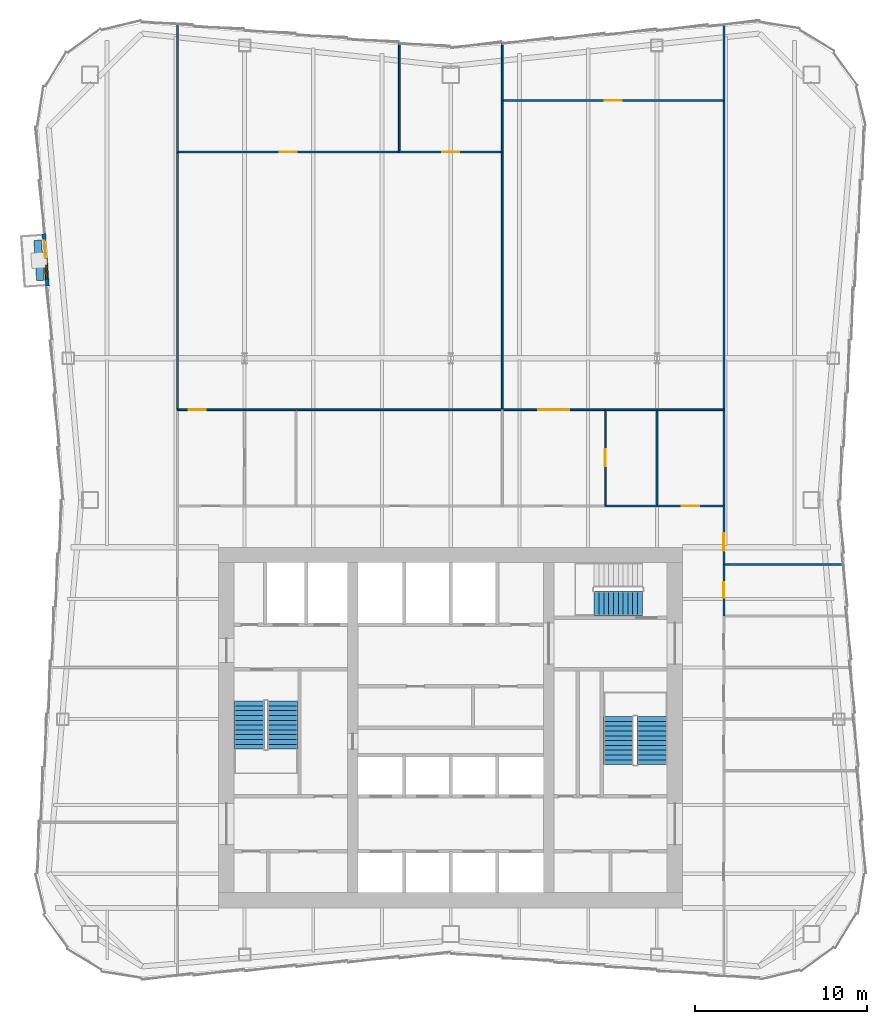
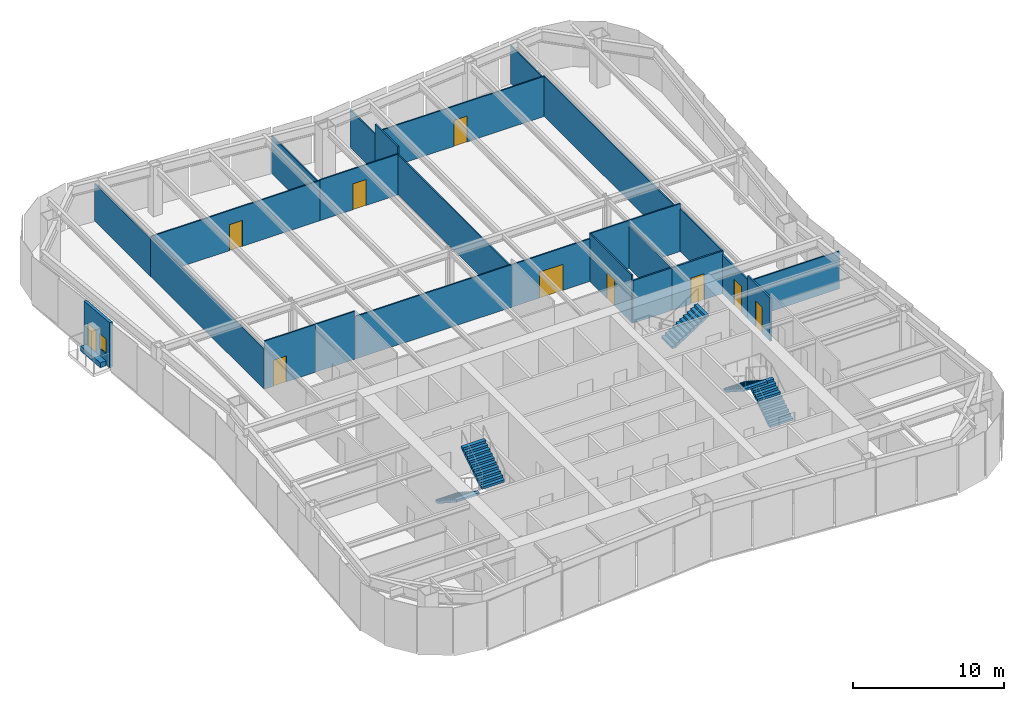
# One storey, part 7 of 10: 27 walls, 10 doors, 5 stair flights, 1 window, 11 openings, 3 elements without a shape of their own.
"""IFC4 building model written with IfcOpenShell, lengths in metres."""

from ifc_helpers import new_model, si_unit, direction, frame, frame_2d, origin, place, context, subcontext, project, spatial, polyline, rectangle, outline, extrude, material, layer, layer_set, type_object, element, fill, aggregate, save


model = new_model("IFC4")

# Units and contexts
model_context = context("Model", 3, precision=1e-05, world=origin(), true_north=direction((0.0, 1.0)))
body_context = subcontext(model_context, "Body", "Model", "MODEL_VIEW")
ifc_project = project(units=[si_unit("LENGTHUNIT", "METRE"), si_unit("AREAUNIT", "SQUARE_METRE"), si_unit("VOLUMEUNIT", "CUBIC_METRE"), si_unit("PLANEANGLEUNIT", "RADIAN"), si_unit("MASSUNIT", "GRAM", prefix="KILO")], contexts=[model_context])

# Site, building, storey
site_placement = place(None, origin())
site = spatial("IfcSite", under=ifc_project, at=site_placement, CompositionType="ELEMENT")
building_placement = place(site_placement, origin())
building = spatial("IfcBuilding", under=site, at=building_placement, Name="Verdant Reach Tower", CompositionType="ELEMENT")
storey_placement = place(building_placement, frame((0.0, 0.0, 214.0)))
storey = spatial("IfcBuildingStorey", under=building, at=storey_placement, Name="L49", CompositionType="ELEMENT", Elevation=214.0)

# Wall, openings, door, window
ifc_material_1 = material(Name="Insulated bronze aluminium panel wall", Category="aluminium")
ifc_layer_1 = layer(ifc_material_1, 0.219970703125)
ifc_layer_set_1 = layer_set([ifc_layer_1], Name="EN-INFILL WALL")
wall_type_1 = type_object("IfcWallType", Name="EN-INFILL WALL", PredefinedType="SOLIDWALL", material=ifc_layer_set_1)
wall_1_placement = place(storey_placement, frame((-23.677978515625, 56.745361328125, 0.0), z_axis=(0.0, 0.0, 1.0), x_axis=(0.068793846076, -0.997630897047, 0.0)))
wall_1 = element("IfcWall", 1, at=wall_1_placement, inside=storey, type_object=wall_type_1, Name="External infill wall, balcony bay 1, L49", PredefinedType="SOLIDWALL", context=body_context, shape_type="SweptSolid", body=[
    extrude(rectangle(XDim=3.048583984375, YDim=0.218017578125, at=frame_2d((1.5244140625, 0.0))), origin(), (0.0, 0.0, 1.0), 3.64990234375),
])
opening_1_placement = place(wall_1_placement, frame((0.416259765625, 0.0, 0.0)))
opening_1 = element("IfcOpeningElement", 2, at=opening_1_placement, cuts=wall_1, Name="Opening BD1", PredefinedType="OPENING", context=body_context, shape_type="SweptSolid", body=[
    extrude(rectangle(XDim=1.0, YDim=2.10009765625, at=frame_2d((0.5, 1.050048828125))), frame((0.0, 0.118896484375, 0.0), z_axis=(0.0, -1.0, 0.0), x_axis=(1.0, 0.0, 0.0)), (0.0, 0.0, 1.0), 0.238037109375),
])
opening_2_placement = place(wall_1_placement, frame((1.832275390625, 0.0, 0.89990234375)))
opening_2 = element("IfcOpeningElement", 3, at=opening_2_placement, cuts=wall_1, Name="Opening BW1", PredefinedType="OPENING", context=body_context, shape_type="SweptSolid", body=[
    extrude(rectangle(XDim=0.800048828125, YDim=1.199951171875, at=frame_2d((0.39990234375, 0.60009765625))), frame((0.0, 0.118896484375, 0.0), z_axis=(0.0, -1.0, 0.0), x_axis=(1.0, 0.0, 0.0)), (0.0, 0.0, 1.0), 0.238037109375),
])
ifc_material_2 = material(Name="Aluminium framed glazed door", Category="aluminium")
door_type_1 = type_object("IfcDoorType", Name="EN-DOOR BALCONY", OperationType="NOTDEFINED", PredefinedType="DOOR", material=ifc_material_2)
door_1_placement = place(opening_1_placement, origin())
door_1 = element("IfcDoor", 4, at=door_1_placement, inside=storey, type_object=door_type_1, Name="Balcony door 1, L49", OperationType="SINGLE_SWING_LEFT", OverallHeight=2.10009765625, OverallWidth=1.0, PredefinedType="DOOR", context=body_context, shape_type="SweptSolid", body=[
    extrude(rectangle(XDim=1.0, YDim=2.10009765625, at=frame_2d((0.5, 1.050048828125))), frame((0.0, 0.02490234375, 0.0), z_axis=(0.0, -1.0, 0.0), x_axis=(1.0, 0.0, 0.0)), (0.0, 0.0, 1.0), 0.050048828125),
])
fill(opening_1, door_1)
ifc_material_3 = material(Name="Aluminium framed glazing", Category="aluminium")
window_type = type_object("IfcWindowType", Name="EN-WINDOW BALCONY", PartitioningType="SINGLE_PANEL", PredefinedType="WINDOW", material=ifc_material_3)
window_placement = place(opening_2_placement, origin())
window = element("IfcWindow", 5, at=window_placement, inside=storey, type_object=window_type, Name="Balcony window 1, L49", OverallHeight=1.199951171875, OverallWidth=0.800048828125, PartitioningType="SINGLE_PANEL", PredefinedType="WINDOW", context=body_context, shape_type="SweptSolid", body=[
    extrude(rectangle(XDim=0.800048828125, YDim=1.199951171875, at=frame_2d((0.39990234375, 0.60009765625))), frame((0.0, 0.030029296875, 0.0), z_axis=(0.0, -1.0, 0.0), x_axis=(1.0, 0.0, 0.0)), (0.0, 0.0, 1.0), 0.06005859375),
])
fill(opening_2, window)

# Wall
ifc_material_4 = material(Name="Precast concrete C30/37", Category="concrete")
ifc_layer_2 = layer(ifc_material_4, 0.449951171875)
ifc_layer_set_2 = layer_set([ifc_layer_2], Name="EN-PLANTER")
wall_type_2 = type_object("IfcWallType", Name="EN-PLANTER", PredefinedType="USERDEFINED", material=ifc_layer_set_2)
wall_2_placement = place(storey_placement, frame((-24.036865234375, 56.36962890625, 0.0), z_axis=(0.0, 0.0, 1.0), x_axis=(0.068823499363, -0.997628851796, 0.0)))
element("IfcWall", 6, at=wall_2_placement, inside=storey, type_object=wall_type_2, Name="Balcony planter 1, L49", ObjectType="PLANTER", PredefinedType="USERDEFINED", context=body_context, shape_type="SweptSolid", body=[
    extrude(rectangle(XDim=2.348388671875, YDim=0.449951171875, at=frame_2d((1.17431640625, 0.0))), origin(), (0.0, 0.0, 1.0), 0.39990234375),
])

# Wall, opening, door
ifc_material_5 = material(Name="Gypsum board on steel studs", Category="steel")
ifc_layer_3 = layer(ifc_material_5, 0.10009765625)
ifc_layer_set_3 = layer_set([ifc_layer_3], Name="FL-W1 Partition 100")
wall_type_3 = type_object("IfcWallType", Name="FL-W1 Partition 100", PredefinedType="PARTITIONING", material=ifc_layer_set_3)
wall_3_placement = place(storey_placement, frame((-15.89990234375, 46.5, 0.0), z_axis=(0.0, 0.0, 1.0), x_axis=(1.0, 0.0, 0.0)))
wall_3 = element("IfcWall", 7, at=wall_3_placement, inside=storey, type_object=wall_type_3, Name="Partition 49.17", PredefinedType="PARTITIONING", context=body_context, shape_type="SweptSolid", body=[
    extrude(rectangle(XDim=3.90380859375, YDim=0.10009765625, at=frame_2d((1.951904296875, 0.0))), origin(), (0.0, 0.0, 1.0), 3.8701171875),
])
opening_3_placement = place(wall_3_placement, frame((0.652099609375, 0.0, 0.0)))
opening_3 = element("IfcOpeningElement", 8, at=opening_3_placement, cuts=wall_3, Name="Opening D3", PredefinedType="OPENING", context=body_context, shape_type="SweptSolid", body=[
    extrude(rectangle(XDim=1.0, YDim=2.10009765625, at=frame_2d((0.5, 1.050048828125))), frame((0.0, 0.06005859375, 0.0), z_axis=(0.0, -1.0, 0.0), x_axis=(1.0, 0.0, 0.0)), (0.0, 0.0, 1.0), 0.1201171875),
])
ifc_material_6 = material(Name="Painted timber door leaf", Category="wood")
door_type_2 = type_object("IfcDoorType", Name="FL-D3 Door 1000x2100", OperationType="NOTDEFINED", PredefinedType="DOOR", material=ifc_material_6)
door_2_placement = place(opening_3_placement, origin())
door_2 = element("IfcDoor", 9, at=door_2_placement, inside=storey, type_object=door_type_2, Name="Door 49-015", OperationType="SINGLE_SWING_LEFT", OverallHeight=2.10009765625, OverallWidth=1.0, PredefinedType="DOOR", context=body_context, shape_type="SweptSolid", body=[
    extrude(rectangle(XDim=1.0, YDim=2.10009765625, at=frame_2d((0.5, 1.050048828125))), frame((0.0, 0.02490234375, 0.0), z_axis=(0.0, -1.0, 0.0), x_axis=(1.0, 0.0, 0.0)), (0.0, 0.0, 1.0), 0.050048828125),
])
fill(opening_3, door_2)

# Walls
wall_4_placement = place(storey_placement, frame((-8.99609375, 46.5, 0.0), z_axis=(0.0, 0.0, 1.0), x_axis=(-1.0, 0.0, 0.0)))
element("IfcWall", 10, at=wall_4_placement, inside=storey, type_object=wall_type_3, Name="Partition 49.20", PredefinedType="PARTITIONING", context=body_context, shape_type="SweptSolid", body=[
    extrude(rectangle(XDim=3.0078125, YDim=0.10009765625, at=frame_2d((1.50390625, 0.0))), origin(), (0.0, 0.0, 1.0), 3.8701171875),
])
wall_5_placement = place(storey_placement, frame((3.0, 46.5, 0.0), z_axis=(0.0, 0.0, 1.0), x_axis=(-1.0, 0.0, 0.0)))
element("IfcWall", 11, at=wall_5_placement, inside=storey, type_object=wall_type_3, Name="Partition 49.21", PredefinedType="PARTITIONING", context=body_context, shape_type="SweptSolid", body=[
    extrude(rectangle(XDim=12.00390625, YDim=0.10009765625, at=frame_2d((6.001953125, 0.0))), origin(), (0.0, 0.0, 1.0), 3.43994140625),
])

# Wall, opening, door
wall_6_placement = place(storey_placement, frame((-15.89990234375, 61.5, 0.0), z_axis=(0.0, 0.0, 1.0), x_axis=(1.0, 0.0, 0.0)))
wall_6 = element("IfcWall", 12, at=wall_6_placement, inside=storey, type_object=wall_type_3, Name="Partition 49.23", PredefinedType="PARTITIONING", context=body_context, shape_type="SweptSolid", body=[
    extrude(rectangle(XDim=12.89990234375, YDim=0.10009765625, at=frame_2d((6.449951171875, 0.0))), origin(), (0.0, 0.0, 1.0), 3.239990234375),
])
opening_4_placement = place(wall_6_placement, frame((5.949951171875, 0.0, 0.0)))
opening_4 = element("IfcOpeningElement", 13, at=opening_4_placement, cuts=wall_6, Name="Opening D3", PredefinedType="OPENING", context=body_context, shape_type="SweptSolid", body=[
    extrude(rectangle(XDim=1.0, YDim=2.10009765625, at=frame_2d((0.5, 1.050048828125))), frame((0.0, 0.06005859375, 0.0), z_axis=(0.0, -1.0, 0.0), x_axis=(1.0, 0.0, 0.0)), (0.0, 0.0, 1.0), 0.1201171875),
])
door_3_placement = place(opening_4_placement, origin())
door_3 = element("IfcDoor", 14, at=door_3_placement, inside=storey, type_object=door_type_2, Name="Door 49-016", OperationType="SINGLE_SWING_RIGHT", OverallHeight=2.10009765625, OverallWidth=1.0, PredefinedType="DOOR", context=body_context, shape_type="SweptSolid", body=[
    extrude(rectangle(XDim=1.0, YDim=2.10009765625, at=frame_2d((0.5, 1.050048828125))), frame((0.0, 0.02490234375, 0.0), z_axis=(0.0, -1.0, 0.0), x_axis=(1.0, 0.0, 0.0)), (0.0, 0.0, 1.0), 0.050048828125),
])
fill(opening_4, door_3)

wall_7_placement = place(storey_placement, frame((-3.0, 61.5, 0.0), z_axis=(0.0, 0.0, 1.0), x_axis=(1.0, 0.0, 0.0)))
wall_7 = element("IfcWall", 15, at=wall_7_placement, inside=storey, type_object=wall_type_3, Name="Partition 49.24", PredefinedType="PARTITIONING", context=body_context, shape_type="SweptSolid", body=[
    extrude(rectangle(XDim=6.0, YDim=0.10009765625, at=frame_2d((3.0, 0.0))), origin(), (0.0, 0.0, 1.0), 3.2900390625),
])
opening_5_placement = place(wall_7_placement, frame((2.5, 0.0, 0.0)))
opening_5 = element("IfcOpeningElement", 16, at=opening_5_placement, cuts=wall_7, Name="Opening D3", PredefinedType="OPENING", context=body_context, shape_type="SweptSolid", body=[
    extrude(rectangle(XDim=1.0, YDim=2.10009765625, at=frame_2d((0.5, 1.050048828125))), frame((0.0, 0.06005859375, 0.0), z_axis=(0.0, -1.0, 0.0), x_axis=(1.0, 0.0, 0.0)), (0.0, 0.0, 1.0), 0.1201171875),
])
door_4_placement = place(opening_5_placement, origin())
door_4 = element("IfcDoor", 17, at=door_4_placement, inside=storey, type_object=door_type_2, Name="Door 49-017", OperationType="SINGLE_SWING_LEFT", OverallHeight=2.10009765625, OverallWidth=1.0, PredefinedType="DOOR", context=body_context, shape_type="SweptSolid", body=[
    extrude(rectangle(XDim=1.0, YDim=2.10009765625, at=frame_2d((0.5, 1.050048828125))), frame((0.0, 0.02490234375, 0.0), z_axis=(0.0, -1.0, 0.0), x_axis=(1.0, 0.0, 0.0)), (0.0, 0.0, 1.0), 0.050048828125),
])
fill(opening_5, door_4)

# Walls
wall_8_placement = place(storey_placement, frame((3.0, 46.5, 0.0), z_axis=(0.0, 0.0, 1.0), x_axis=(0.0, 1.0, 0.0)))
element("IfcWall", 18, at=wall_8_placement, inside=storey, type_object=wall_type_3, Name="Partition 49.25", PredefinedType="PARTITIONING", context=body_context, shape_type="SweptSolid", body=[
    extrude(rectangle(XDim=15.00390625, YDim=0.10009765625, at=frame_2d((7.501953125, 0.0))), origin(), (0.0, 0.0, 1.0), 3.239990234375),
])
wall_9_placement = place(storey_placement, frame((-15.89990234375, 61.50390625, 0.0), z_axis=(0.0, 0.0, 1.0), x_axis=(0.0, -1.0, 0.0)))
element("IfcWall", 19, at=wall_9_placement, inside=storey, type_object=wall_type_3, Name="Partition 49.26", PredefinedType="PARTITIONING", context=body_context, shape_type="SweptSolid", body=[
    extrude(rectangle(XDim=15.0078125, YDim=0.10009765625, at=frame_2d((7.50390625, 0.0))), origin(), (0.0, 0.0, 1.0), 3.239990234375),
])
wall_10_placement = place(storey_placement, frame((-3.0, 61.5, 0.0), z_axis=(0.0, 0.0, 1.0), x_axis=(0.0, 1.0, 0.0)))
element("IfcWall", 20, at=wall_10_placement, inside=storey, type_object=wall_type_3, Name="Partition 49.27", PredefinedType="PARTITIONING", context=body_context, shape_type="SweptSolid", body=[
    extrude(rectangle(XDim=6.330078125, YDim=0.10009765625, at=frame_2d((3.1650390625, 0.0))), origin(), (0.0, 0.0, 1.0), 3.0400390625),
])
wall_11_placement = place(storey_placement, frame((-15.89990234375, 68.905029296875, 0.0), z_axis=(0.0, 0.0, 1.0), x_axis=(0.0, -1.0, 0.0)))
element("IfcWall", 21, at=wall_11_placement, inside=storey, type_object=wall_type_3, Name="Partition 49.28", PredefinedType="PARTITIONING", context=body_context, shape_type="SweptSolid", body=[
    extrude(rectangle(XDim=7.408935546875, YDim=0.10009765625, at=frame_2d((3.70458984375, 0.0))), origin(), (0.0, 0.0, 1.0), 3.0400390625),
])
wall_12_placement = place(storey_placement, frame((3.0, 61.49609375, 0.0), z_axis=(0.0, 0.0, 1.0), x_axis=(0.0, 1.0, 0.0)))
element("IfcWall", 22, at=wall_12_placement, inside=storey, type_object=wall_type_3, Name="Partition 49.29", PredefinedType="PARTITIONING", context=body_context, shape_type="SweptSolid", body=[
    extrude(rectangle(XDim=3.00390625, YDim=0.10009765625, at=frame_2d((1.501953125, 0.0))), origin(), (0.0, 0.0, 1.0), 3.8701171875),
])
wall_13_placement = place(storey_placement, frame((3.0, 64.5, 0.0), z_axis=(0.0, 0.0, 1.0), x_axis=(0.0, 1.0, 0.0)))
element("IfcWall", 23, at=wall_13_placement, inside=storey, type_object=wall_type_3, Name="Partition 49.30", PredefinedType="PARTITIONING", context=body_context, shape_type="SweptSolid", body=[
    extrude(rectangle(XDim=3.330078125, YDim=0.10009765625, at=frame_2d((1.6650390625, 0.0))), origin(), (0.0, 0.0, 1.0), 3.0400390625),
])

# Wall, opening, door
wall_14_placement = place(storey_placement, frame((9.0, 46.5, 0.0), z_axis=(0.0, 0.0, 1.0), x_axis=(0.0, -1.0, 0.0)))
wall_14 = element("IfcWall", 24, at=wall_14_placement, inside=storey, type_object=wall_type_3, Name="Partition 49.31", PredefinedType="PARTITIONING", context=body_context, shape_type="SweptSolid", body=[
    extrude(rectangle(XDim=5.60009765625, YDim=0.10009765625, at=frame_2d((2.800048828125, 0.0))), origin(), (0.0, 0.0, 1.0), 3.8701171875),
])
opening_6_placement = place(wall_14_placement, frame((2.300048828125, 0.0, 0.0)))
opening_6 = element("IfcOpeningElement", 25, at=opening_6_placement, cuts=wall_14, Name="Opening D3", PredefinedType="OPENING", context=body_context, shape_type="SweptSolid", body=[
    extrude(rectangle(XDim=1.0, YDim=2.10009765625, at=frame_2d((0.5, 1.050048828125))), frame((0.0, 0.06005859375, 0.0), z_axis=(0.0, -1.0, 0.0), x_axis=(1.0, 0.0, 0.0)), (0.0, 0.0, 1.0), 0.1201171875),
])
door_5_placement = place(opening_6_placement, origin())
door_5 = element("IfcDoor", 26, at=door_5_placement, inside=storey, type_object=door_type_2, Name="Door 49-018", OperationType="SINGLE_SWING_RIGHT", OverallHeight=2.10009765625, OverallWidth=1.0, PredefinedType="DOOR", context=body_context, shape_type="SweptSolid", body=[
    extrude(rectangle(XDim=1.0, YDim=2.10009765625, at=frame_2d((0.5, 1.050048828125))), frame((0.0, 0.02490234375, 0.0), z_axis=(0.0, -1.0, 0.0), x_axis=(1.0, 0.0, 0.0)), (0.0, 0.0, 1.0), 0.050048828125),
])
fill(opening_6, door_5)

wall_15_placement = place(storey_placement, frame((3.0, 46.5, 0.0), z_axis=(0.0, 0.0, 1.0), x_axis=(1.0, 0.0, 0.0)))
wall_15 = element("IfcWall", 27, at=wall_15_placement, inside=storey, type_object=wall_type_3, Name="Partition 49.32", PredefinedType="PARTITIONING", context=body_context, shape_type="SweptSolid", body=[
    extrude(rectangle(XDim=6.00390625, YDim=0.10009765625, at=frame_2d((3.001953125, 0.0))), origin(), (0.0, 0.0, 1.0), 3.43994140625),
])
opening_7_placement = place(wall_15_placement, frame((2.10205078125, 0.0, 0.0)))
opening_7 = element("IfcOpeningElement", 28, at=opening_7_placement, cuts=wall_15, Name="Opening D5", PredefinedType="OPENING", context=body_context, shape_type="SweptSolid", body=[
    extrude(rectangle(XDim=1.800048828125, YDim=2.10009765625, at=frame_2d((0.89990234375, 1.050048828125))), frame((0.0, 0.06005859375, 0.0), z_axis=(0.0, -1.0, 0.0), x_axis=(1.0, 0.0, 0.0)), (0.0, 0.0, 1.0), 0.1201171875),
])
ifc_material_7 = material(Name="Painted timber door leaves", Category="wood")
door_type_3 = type_object("IfcDoorType", Name="FL-D5 Double door 1800x2100", OperationType="DOUBLE_DOOR_SINGLE_SWING", PredefinedType="DOOR", material=ifc_material_7)
door_6_placement = place(opening_7_placement, origin())
door_6 = element("IfcDoor", 29, at=door_6_placement, inside=storey, type_object=door_type_3, Name="Door 49-019", OperationType="DOUBLE_DOOR_SINGLE_SWING", OverallHeight=2.10009765625, OverallWidth=1.800048828125, PredefinedType="DOOR", context=body_context, shape_type="SweptSolid", body=[
    extrude(rectangle(XDim=1.800048828125, YDim=2.10009765625, at=frame_2d((0.89990234375, 1.050048828125))), frame((0.0, 0.02490234375, 0.0), z_axis=(0.0, -1.0, 0.0), x_axis=(1.0, 0.0, 0.0)), (0.0, 0.0, 1.0), 0.050048828125),
])
fill(opening_7, door_6)

# Walls
wall_16_placement = place(storey_placement, frame((12.0, 40.89990234375, 0.0), z_axis=(0.0, 0.0, 1.0), x_axis=(0.0, 1.0, 0.0)))
element("IfcWall", 30, at=wall_16_placement, inside=storey, type_object=wall_type_3, Name="Partition 49.33", PredefinedType="PARTITIONING", context=body_context, shape_type="SweptSolid", body=[
    extrude(rectangle(XDim=5.60009765625, YDim=0.10009765625, at=frame_2d((2.800048828125, 0.0))), origin(), (0.0, 0.0, 1.0), 3.43994140625),
])
wall_17_placement = place(storey_placement, frame((12.00390625, 46.5, 0.0), z_axis=(0.0, 0.0, 1.0), x_axis=(-1.0, 0.0, 0.0)))
element("IfcWall", 31, at=wall_17_placement, inside=storey, type_object=wall_type_3, Name="Partition 49.34", PredefinedType="PARTITIONING", context=body_context, shape_type="SweptSolid", body=[
    extrude(rectangle(XDim=3.0078125, YDim=0.10009765625, at=frame_2d((1.50390625, 0.0))), origin(), (0.0, 0.0, 1.0), 3.8701171875),
])
wall_18_placement = place(storey_placement, frame((15.89990234375, 46.5, 0.0), z_axis=(0.0, 0.0, 1.0), x_axis=(-1.0, 0.0, 0.0)))
element("IfcWall", 32, at=wall_18_placement, inside=storey, type_object=wall_type_3, Name="Partition 49.35", PredefinedType="PARTITIONING", context=body_context, shape_type="SweptSolid", body=[
    extrude(rectangle(XDim=3.90380859375, YDim=0.10009765625, at=frame_2d((1.951904296875, 0.0))), origin(), (0.0, 0.0, 1.0), 3.8701171875),
])
wall_19_placement = place(storey_placement, frame((15.89990234375, 40.89599609375, 0.0), z_axis=(0.0, 0.0, 1.0), x_axis=(0.0, 1.0, 0.0)))
element("IfcWall", 33, at=wall_19_placement, inside=storey, type_object=wall_type_3, Name="Partition 49.36", PredefinedType="PARTITIONING", context=body_context, shape_type="SweptSolid", body=[
    extrude(rectangle(XDim=5.60791015625, YDim=0.10009765625, at=frame_2d((2.803955078125, 0.0))), origin(), (0.0, 0.0, 1.0), 3.43994140625),
])

# Wall, opening, door
wall_20_placement = place(storey_placement, frame((3.0, 64.5, 0.0), z_axis=(0.0, 0.0, 1.0), x_axis=(1.0, 0.0, 0.0)))
wall_20 = element("IfcWall", 34, at=wall_20_placement, inside=storey, type_object=wall_type_3, Name="Partition 49.37", PredefinedType="PARTITIONING", context=body_context, shape_type="SweptSolid", body=[
    extrude(rectangle(XDim=12.89990234375, YDim=0.10009765625, at=frame_2d((6.449951171875, 0.0))), origin(), (0.0, 0.0, 1.0), 3.239990234375),
])
opening_8_placement = place(wall_20_placement, frame((5.949951171875, 0.0, 0.0)))
opening_8 = element("IfcOpeningElement", 35, at=opening_8_placement, cuts=wall_20, Name="Opening D3", PredefinedType="OPENING", context=body_context, shape_type="SweptSolid", body=[
    extrude(rectangle(XDim=1.0, YDim=2.10009765625, at=frame_2d((0.5, 1.050048828125))), frame((0.0, 0.06005859375, 0.0), z_axis=(0.0, -1.0, 0.0), x_axis=(1.0, 0.0, 0.0)), (0.0, 0.0, 1.0), 0.1201171875),
])
door_7_placement = place(opening_8_placement, origin())
door_7 = element("IfcDoor", 36, at=door_7_placement, inside=storey, type_object=door_type_2, Name="Door 49-020", OperationType="SINGLE_SWING_RIGHT", OverallHeight=2.10009765625, OverallWidth=1.0, PredefinedType="DOOR", context=body_context, shape_type="SweptSolid", body=[
    extrude(rectangle(XDim=1.0, YDim=2.10009765625, at=frame_2d((0.5, 1.050048828125))), frame((0.0, 0.02490234375, 0.0), z_axis=(0.0, -1.0, 0.0), x_axis=(1.0, 0.0, 0.0)), (0.0, 0.0, 1.0), 0.050048828125),
])
fill(opening_8, door_7)

# Walls
wall_21_placement = place(storey_placement, frame((15.89990234375, 46.49609375, 0.0), z_axis=(0.0, 0.0, 1.0), x_axis=(0.0, 1.0, 0.0)))
element("IfcWall", 37, at=wall_21_placement, inside=storey, type_object=wall_type_3, Name="Partition 49.38", PredefinedType="PARTITIONING", context=body_context, shape_type="SweptSolid", body=[
    extrude(rectangle(XDim=18.0078125, YDim=0.10009765625, at=frame_2d((9.00390625, 0.0))), origin(), (0.0, 0.0, 1.0), 3.239990234375),
])
wall_22_placement = place(storey_placement, frame((15.89990234375, 64.49609375, 0.0), z_axis=(0.0, 0.0, 1.0), x_axis=(0.0, 1.0, 0.0)))
element("IfcWall", 38, at=wall_22_placement, inside=storey, type_object=wall_type_3, Name="Partition 49.39", PredefinedType="PARTITIONING", context=body_context, shape_type="SweptSolid", body=[
    extrude(rectangle(XDim=4.408935546875, YDim=0.10009765625, at=frame_2d((2.20458984375, 0.0))), origin(), (0.0, 0.0, 1.0), 3.0400390625),
])
wall_23_placement = place(storey_placement, frame((22.838623046875, 37.5, 0.0), z_axis=(0.0, 0.0, 1.0), x_axis=(-1.0, 0.0, 0.0)))
element("IfcWall", 39, at=wall_23_placement, inside=storey, type_object=wall_type_3, Name="Partition 49.46", PredefinedType="PARTITIONING", context=body_context, shape_type="SweptSolid", body=[
    extrude(rectangle(XDim=6.938720703125, YDim=0.10009765625, at=frame_2d((3.46923828125, 0.0))), origin(), (0.0, 0.0, 1.0), 3.0400390625),
])
ifc_material_8 = material(Name="Gypsum board on steel studs, fire rated", Category="steel")
ifc_layer_4 = layer(ifc_material_8, 0.125)
ifc_layer_set_4 = layer_set([ifc_layer_4], Name="FL-W2 Corridor wall 125")
wall_type_4 = type_object("IfcWallType", Name="FL-W2 Corridor wall 125", PredefinedType="PARTITIONING", material=ifc_layer_set_4)
wall_24_placement = place(storey_placement, frame((12.0, 40.89990234375, 0.0), z_axis=(0.0, 0.0, 1.0), x_axis=(-1.0, 0.0, 0.0)))
element("IfcWall", 40, at=wall_24_placement, inside=storey, type_object=wall_type_4, Name="Partition 49.05", PredefinedType="PARTITIONING", context=body_context, shape_type="SweptSolid", body=[
    extrude(rectangle(XDim=3.0, YDim=0.125, at=frame_2d((1.5, 0.0))), origin(), (0.0, 0.0, 1.0), 3.43994140625),
])

# Wall, opening, door
wall_25_placement = place(storey_placement, frame((12.0, 40.89990234375, 0.0), z_axis=(0.0, 0.0, 1.0), x_axis=(1.0, 0.0, 0.0)))
wall_25 = element("IfcWall", 41, at=wall_25_placement, inside=storey, type_object=wall_type_4, Name="Partition 49.06", PredefinedType="PARTITIONING", context=body_context, shape_type="SweptSolid", body=[
    extrude(rectangle(XDim=3.89990234375, YDim=0.125, at=frame_2d((1.949951171875, 0.0))), origin(), (0.0, 0.0, 1.0), 3.43994140625),
])
opening_9_placement = place(wall_25_placement, frame((1.449951171875, 0.0, 0.0)))
opening_9 = element("IfcOpeningElement", 42, at=opening_9_placement, cuts=wall_25, Name="Opening D2", PredefinedType="OPENING", context=body_context, shape_type="SweptSolid", body=[
    extrude(rectangle(XDim=1.0, YDim=2.10009765625, at=frame_2d((0.5, 1.050048828125))), frame((0.0, 0.072509765625, 0.0), z_axis=(0.0, -1.0, 0.0), x_axis=(1.0, 0.0, 0.0)), (0.0, 0.0, 1.0), 0.14501953125),
])
ifc_material_9 = material(Name="Timber door leaf, fire rated", Category="wood")
door_type_4 = type_object("IfcDoorType", Name="FL-D2 Entrance door 1000x2100 FD30", OperationType="NOTDEFINED", PredefinedType="DOOR", material=ifc_material_9)
door_8_placement = place(opening_9_placement, origin())
door_8 = element("IfcDoor", 43, at=door_8_placement, inside=storey, type_object=door_type_4, Name="Door 49-004", OperationType="SINGLE_SWING_RIGHT", OverallHeight=2.10009765625, OverallWidth=1.0, PredefinedType="DOOR", context=body_context, shape_type="SweptSolid", body=[
    extrude(rectangle(XDim=1.0, YDim=2.10009765625, at=frame_2d((0.5, 1.050048828125))), frame((0.0, 0.02490234375, 0.0), z_axis=(0.0, -1.0, 0.0), x_axis=(1.0, 0.0, 0.0)), (0.0, 0.0, 1.0), 0.050048828125),
])
fill(opening_9, door_8)

wall_26_placement = place(storey_placement, frame((15.89990234375, 37.5, 0.0), z_axis=(0.0, 0.0, 1.0), x_axis=(0.0, -1.0, 0.0)))
wall_26 = element("IfcWall", 44, at=wall_26_placement, inside=storey, type_object=wall_type_4, Name="Partition 49.14", PredefinedType="PARTITIONING", context=body_context, shape_type="SweptSolid", body=[
    extrude(rectangle(XDim=3.0, YDim=0.125, at=frame_2d((1.5, 0.0))), origin(), (0.0, 0.0, 1.0), 3.47998046875),
])
opening_10_placement = place(wall_26_placement, frame((1.050048828125, 0.0, 0.0)))
opening_10 = element("IfcOpeningElement", 45, at=opening_10_placement, cuts=wall_26, Name="Opening D1", PredefinedType="OPENING", context=body_context, shape_type="SweptSolid", body=[
    extrude(rectangle(XDim=0.89990234375, YDim=2.10009765625, at=frame_2d((0.449951171875, 1.050048828125))), frame((0.0, 0.072509765625, 0.0), z_axis=(0.0, -1.0, 0.0), x_axis=(1.0, 0.0, 0.0)), (0.0, 0.0, 1.0), 0.14501953125),
])
door_type_5 = type_object("IfcDoorType", Name="FL-D1 Door 900x2100", OperationType="NOTDEFINED", PredefinedType="DOOR", material=ifc_material_6)
door_9_placement = place(opening_10_placement, origin())
door_9 = element("IfcDoor", 46, at=door_9_placement, inside=storey, type_object=door_type_5, Name="Door 49-012", OperationType="SINGLE_SWING_RIGHT", OverallHeight=2.10009765625, OverallWidth=0.89990234375, PredefinedType="DOOR", context=body_context, shape_type="SweptSolid", body=[
    extrude(rectangle(XDim=0.89990234375, YDim=2.10009765625, at=frame_2d((0.449951171875, 1.050048828125))), frame((0.0, 0.02490234375, 0.0), z_axis=(0.0, -1.0, 0.0), x_axis=(1.0, 0.0, 0.0)), (0.0, 0.0, 1.0), 0.050048828125),
])
fill(opening_10, door_9)

wall_27_placement = place(storey_placement, frame((15.89990234375, 40.904052734375, 0.0), z_axis=(0.0, 0.0, 1.0), x_axis=(0.0, -1.0, 0.0)))
wall_27 = element("IfcWall", 47, at=wall_27_placement, inside=storey, type_object=wall_type_4, Name="Partition 49.15", PredefinedType="PARTITIONING", context=body_context, shape_type="SweptSolid", body=[
    extrude(rectangle(XDim=3.404052734375, YDim=0.125, at=frame_2d((1.7021484375, 0.0))), origin(), (0.0, 0.0, 1.0), 3.139892578125),
])
opening_11_placement = place(wall_27_placement, frame((1.60205078125, 0.0, 0.0)))
opening_11 = element("IfcOpeningElement", 48, at=opening_11_placement, cuts=wall_27, Name="Opening D2", PredefinedType="OPENING", context=body_context, shape_type="SweptSolid", body=[
    extrude(rectangle(XDim=1.0, YDim=2.10009765625, at=frame_2d((0.5, 1.050048828125))), frame((0.0, 0.072509765625, 0.0), z_axis=(0.0, -1.0, 0.0), x_axis=(1.0, 0.0, 0.0)), (0.0, 0.0, 1.0), 0.14501953125),
])
door_10_placement = place(opening_11_placement, origin())
door_10 = element("IfcDoor", 49, at=door_10_placement, inside=storey, type_object=door_type_4, Name="Door 49-013", OperationType="SINGLE_SWING_RIGHT", OverallHeight=2.10009765625, OverallWidth=1.0, PredefinedType="DOOR", context=body_context, shape_type="SweptSolid", body=[
    extrude(rectangle(XDim=1.0, YDim=2.10009765625, at=frame_2d((0.5, 1.050048828125))), frame((0.0, 0.02490234375, 0.0), z_axis=(0.0, -1.0, 0.0), x_axis=(1.0, 0.0, 0.0)), (0.0, 0.0, 1.0), 0.050048828125),
])
fill(opening_11, door_10)

# Stair, stair flights
ifc_material_10 = material(Name="Concrete C40/50", Category="concrete")
stair_type = type_object("IfcStairType", Name="CO-STAIR", PredefinedType="HALF_TURN_STAIR", material=ifc_material_10)
stair_1_placement = place(storey_placement, origin())
stair_1 = element("IfcStair", 50, at=stair_1_placement, inside=storey, type_object=stair_type, Name="L49 Exit stair 1", PredefinedType="HALF_TURN_STAIR")
stair_flight_type = type_object("IfcStairFlightType", Name="CO-STAIR-FLIGHT", PredefinedType="STRAIGHT", material=ifc_material_10)
stair_flight_1_placement = place(storey_placement, frame((-11.72509765625, 29.550048828125, 0.0), z_axis=(0.0, 0.0, 1.0), x_axis=(0.0, -1.0, 0.0)))
stair_flight_1 = element("IfcStairFlight", 51, at=stair_flight_1_placement, type_object=stair_flight_type, Name="ST-1 flight 1", NumberOfRisers=11, NumberOfTreads=10, PredefinedType="STRAIGHT", RiserHeight=0.181818182, TreadLength=0.28, context=body_context, shape_type="SweptSolid", body=[
    extrude(outline(polyline([(0.0, 0.0), (0.0, 0.181884765625), (0.280029296875, 0.181884765625), (0.280029296875, 0.363525390625), (0.56005859375, 0.363525390625), (0.56005859375, 0.54541015625), (0.840087890625, 0.54541015625), (0.840087890625, 0.727294921875), (1.1201171875, 0.727294921875), (1.1201171875, 0.9091796875), (1.39990234375, 0.9091796875), (1.39990234375, 1.0908203125), (1.679931640625, 1.0908203125), (1.679931640625, 1.272705078125), (1.9599609375, 1.272705078125), (1.9599609375, 1.45458984375), (2.239990234375, 1.45458984375), (2.239990234375, 1.636474609375), (2.52001953125, 1.636474609375), (2.52001953125, 1.818115234375), (2.800048828125, 1.818115234375), (2.800048828125, 2.0), (2.800048828125, 1.639404296875), (0.275146484375, 0.0), (0.0, 0.0)])), frame((0.0, 0.875, 0.0), z_axis=(0.0, -1.0, 0.0), x_axis=(1.0, 0.0, 0.0)), (0.0, 0.0, 1.0), 1.75),
])
stair_flight_2_placement = place(storey_placement, frame((-9.77490234375, 26.75, 2.0), z_axis=(0.0, 0.0, 1.0), x_axis=(0.0, 1.0, 0.0)))
stair_flight_2 = element("IfcStairFlight", 52, at=stair_flight_2_placement, type_object=stair_flight_type, Name="ST-1 flight 2", NumberOfRisers=11, NumberOfTreads=10, PredefinedType="STRAIGHT", RiserHeight=0.181818182, TreadLength=0.28, context=body_context, shape_type="SweptSolid", body=[
    extrude(outline(polyline([(0.0, 0.0), (0.0, 0.181884765625), (0.280029296875, 0.181884765625), (0.280029296875, 0.363525390625), (0.56005859375, 0.363525390625), (0.56005859375, 0.54541015625), (0.840087890625, 0.54541015625), (0.840087890625, 0.727294921875), (1.1201171875, 0.727294921875), (1.1201171875, 0.9091796875), (1.39990234375, 0.9091796875), (1.39990234375, 1.0908203125), (1.679931640625, 1.0908203125), (1.679931640625, 1.272705078125), (1.9599609375, 1.272705078125), (1.9599609375, 1.45458984375), (2.239990234375, 1.45458984375), (2.239990234375, 1.636474609375), (2.52001953125, 1.636474609375), (2.52001953125, 1.818115234375), (2.800048828125, 1.818115234375), (2.800048828125, 2.0), (2.800048828125, 1.639404296875), (0.275146484375, 0.0), (0.0, 0.0)])), frame((0.0, 0.875, 0.0), z_axis=(0.0, -1.0, 0.0), x_axis=(1.0, 0.0, 0.0)), (0.0, 0.0, 1.0), 1.75),
])
aggregate(stair_1, [stair_flight_1, stair_flight_2])

stair_2_placement = place(storey_placement, origin())
stair_2 = element("IfcStair", 53, at=stair_2_placement, inside=storey, type_object=stair_type, Name="L49 Exit stair 2", PredefinedType="HALF_TURN_STAIR")
stair_flight_3_placement = place(storey_placement, frame((11.72509765625, 25.85009765625, 0.0), z_axis=(0.0, 0.0, 1.0), x_axis=(0.0, 1.0, 0.0)))
stair_flight_3 = element("IfcStairFlight", 54, at=stair_flight_3_placement, type_object=stair_flight_type, Name="ST-2 flight 1", NumberOfRisers=11, NumberOfTreads=10, PredefinedType="STRAIGHT", RiserHeight=0.181818182, TreadLength=0.28, context=body_context, shape_type="SweptSolid", body=[
    extrude(outline(polyline([(0.0, 0.0), (0.0, 0.181884765625), (0.280029296875, 0.181884765625), (0.280029296875, 0.363525390625), (0.56005859375, 0.363525390625), (0.56005859375, 0.54541015625), (0.840087890625, 0.54541015625), (0.840087890625, 0.727294921875), (1.1201171875, 0.727294921875), (1.1201171875, 0.9091796875), (1.39990234375, 0.9091796875), (1.39990234375, 1.0908203125), (1.679931640625, 1.0908203125), (1.679931640625, 1.272705078125), (1.9599609375, 1.272705078125), (1.9599609375, 1.45458984375), (2.239990234375, 1.45458984375), (2.239990234375, 1.636474609375), (2.52001953125, 1.636474609375), (2.52001953125, 1.818115234375), (2.800048828125, 1.818115234375), (2.800048828125, 2.0), (2.800048828125, 1.639404296875), (0.275146484375, 0.0), (0.0, 0.0)])), frame((0.0, 0.875, 0.0), z_axis=(0.0, -1.0, 0.0), x_axis=(1.0, 0.0, 0.0)), (0.0, 0.0, 1.0), 1.75),
])
stair_flight_4_placement = place(storey_placement, frame((9.77490234375, 28.64990234375, 2.0), z_axis=(0.0, 0.0, 1.0), x_axis=(0.0, -1.0, 0.0)))
stair_flight_4 = element("IfcStairFlight", 55, at=stair_flight_4_placement, type_object=stair_flight_type, Name="ST-2 flight 2", NumberOfRisers=11, NumberOfTreads=10, PredefinedType="STRAIGHT", RiserHeight=0.181818182, TreadLength=0.28, context=body_context, shape_type="SweptSolid", body=[
    extrude(outline(polyline([(0.0, 0.0), (0.0, 0.181884765625), (0.280029296875, 0.181884765625), (0.280029296875, 0.363525390625), (0.56005859375, 0.363525390625), (0.56005859375, 0.54541015625), (0.840087890625, 0.54541015625), (0.840087890625, 0.727294921875), (1.1201171875, 0.727294921875), (1.1201171875, 0.9091796875), (1.39990234375, 0.9091796875), (1.39990234375, 1.0908203125), (1.679931640625, 1.0908203125), (1.679931640625, 1.272705078125), (1.9599609375, 1.272705078125), (1.9599609375, 1.45458984375), (2.239990234375, 1.45458984375), (2.239990234375, 1.636474609375), (2.52001953125, 1.636474609375), (2.52001953125, 1.818115234375), (2.800048828125, 1.818115234375), (2.800048828125, 2.0), (2.800048828125, 1.639404296875), (0.275146484375, 0.0), (0.0, 0.0)])), frame((0.0, 0.875, 0.0), z_axis=(0.0, -1.0, 0.0), x_axis=(1.0, 0.0, 0.0)), (0.0, 0.0, 1.0), 1.75),
])
aggregate(stair_2, [stair_flight_3, stair_flight_4])

# Stair, stair flight
stair_3_placement = place(storey_placement, origin())
stair_3 = element("IfcStair", 56, at=stair_3_placement, inside=storey, type_object=stair_type, Name="L49 Exit stair 3", PredefinedType="HALF_TURN_STAIR")
stair_flight_5_placement = place(storey_placement, frame((8.35009765625, 35.22509765625, 2.0), z_axis=(0.0, 0.0, 1.0), x_axis=(1.0, 0.0, 0.0)))
stair_flight_5 = element("IfcStairFlight", 57, at=stair_flight_5_placement, type_object=stair_flight_type, Name="ST-3 flight 2", NumberOfRisers=11, NumberOfTreads=10, PredefinedType="STRAIGHT", RiserHeight=0.181818182, TreadLength=0.28, context=body_context, shape_type="SweptSolid", body=[
    extrude(outline(polyline([(0.0, 0.0), (0.0, 0.181884765625), (0.280029296875, 0.181884765625), (0.280029296875, 0.363525390625), (0.56005859375, 0.363525390625), (0.56005859375, 0.54541015625), (0.840087890625, 0.54541015625), (0.840087890625, 0.727294921875), (1.1201171875, 0.727294921875), (1.1201171875, 0.9091796875), (1.39990234375, 0.9091796875), (1.39990234375, 1.0908203125), (1.679931640625, 1.0908203125), (1.679931640625, 1.272705078125), (1.9599609375, 1.272705078125), (1.9599609375, 1.45458984375), (2.239990234375, 1.45458984375), (2.239990234375, 1.636474609375), (2.52001953125, 1.636474609375), (2.52001953125, 1.818115234375), (2.800048828125, 1.818115234375), (2.800048828125, 2.0), (2.800048828125, 1.639404296875), (0.275146484375, 0.0), (0.0, 0.0)])), frame((0.0, 0.72509765625, 0.0), z_axis=(0.0, -1.0, 0.0), x_axis=(1.0, 0.0, 0.0)), (0.0, 0.0, 1.0), 1.449951171875),
])
aggregate(stair_3, [stair_flight_5])

save(model, "model.ifc")
